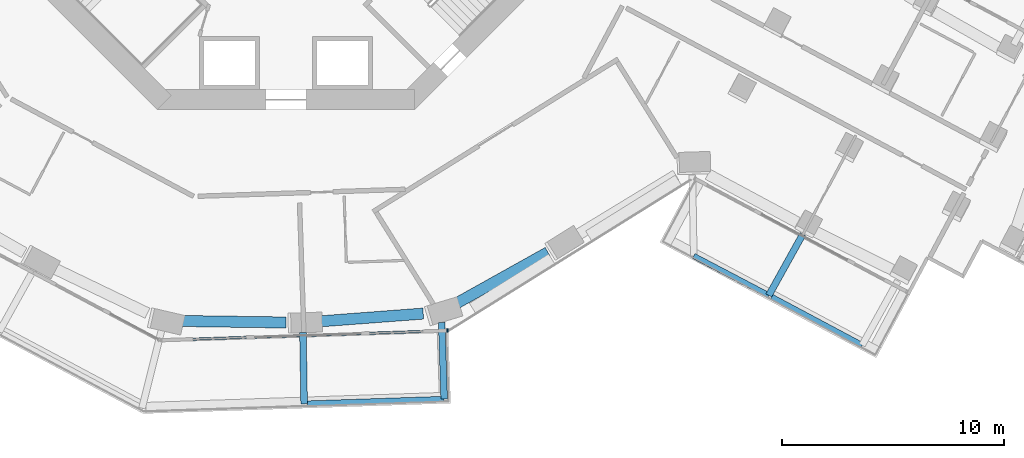
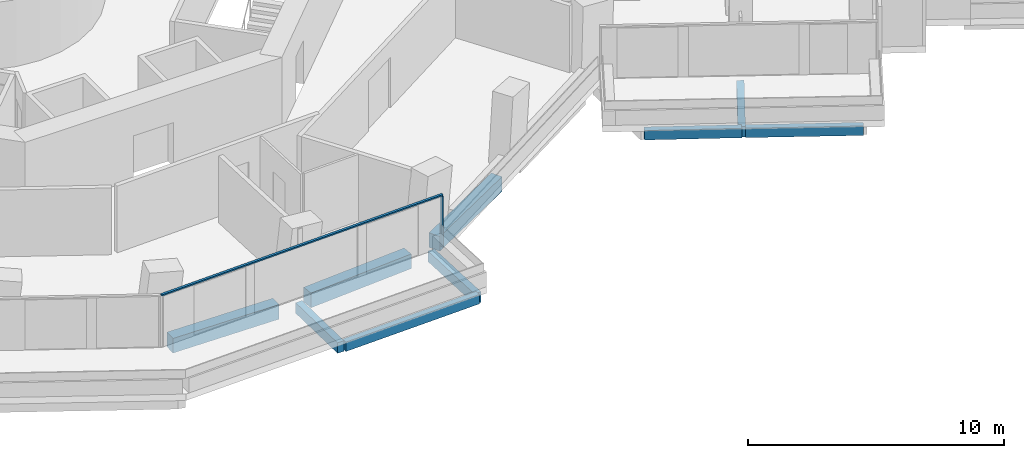
# One storey, part 5 of 27: 9 beams, 2 members, 1 element without a shape of its own.
"""IFC4 building model written with IfcOpenShell, lengths in metres."""

from ifc_helpers import new_model, si_unit, direction, frame, origin, origin_2d, place, context, subcontext, project, spatial, rectangle, extrude, material, layer, layer_set, material_profile, profile_set, type_object, element, aggregate, save


model = new_model("IFC4")

# Units and contexts
model_context = context("Model", 3, precision=1e-05, world=origin(), true_north=direction((0.0, 1.0)))
body_context = subcontext(model_context, "Body", "Model", "MODEL_VIEW")
ifc_project = project(units=[si_unit("LENGTHUNIT", "METRE"), si_unit("AREAUNIT", "SQUARE_METRE"), si_unit("VOLUMEUNIT", "CUBIC_METRE"), si_unit("PLANEANGLEUNIT", "RADIAN"), si_unit("MASSUNIT", "GRAM", prefix="KILO")], contexts=[model_context])

# Site, building, storey
site_placement = place(None, origin())
site = spatial("IfcSite", under=ifc_project, at=site_placement, CompositionType="ELEMENT")
building_placement = place(site_placement, origin())
building = spatial("IfcBuilding", under=site, at=building_placement, Name="Verdalira Terraces Hotel", CompositionType="ELEMENT")
storey_placement = place(building_placement, frame((0.0, 0.0, 42.5)))
storey = spatial("IfcBuildingStorey", under=building, at=storey_placement, Name="L08", CompositionType="ELEMENT", Elevation=42.5)

# Beams
ifc_material_1 = material(Name="Concrete C40", Category="concrete")
ifc_material_profile_1 = material_profile(ifc_material_1, rectangle(XDim=0.300049, YDim=0.5, at=origin_2d()), Name="RC 300X500")
ifc_profile_set_1 = profile_set([ifc_material_profile_1], Name="Concrete C40")
beam_type_1 = type_object("IfcBeamType", Name="Balcony cantilever beam RC 300X500 C40", PredefinedType="BEAM", material=ifc_profile_set_1)
beam_1_placement = place(storey_placement, frame((0.763428, -24.045898, -0.560059), z_axis=(0.01678, -0.999859206, 0.0), x_axis=(0.999859206, 0.01678, 0.0)))
element("IfcBeam", 1, at=beam_1_placement, inside=storey, type_object=beam_type_1, Name="Balcony cantilever beam R25-1", PredefinedType="BEAM", context=body_context, shape_type="SweptSolid", body=[
    extrude(rectangle(XDim=0.300049, YDim=0.5, at=origin_2d()), origin(), (0.0, 0.0, 1.0), 3.200928),
])
beam_2_placement = place(storey_placement, frame((7.01001, -23.57959, -0.560059), z_axis=(0.033542903, -0.999437278, 0.0), x_axis=(0.999437278, 0.033542903, 0.0)))
element("IfcBeam", 2, at=beam_2_placement, inside=storey, type_object=beam_type_1, Name="Balcony cantilever beam R25-2", PredefinedType="BEAM", context=body_context, shape_type="SweptSolid", body=[
    extrude(rectangle(XDim=0.300049, YDim=0.5, at=origin_2d()), origin(), (0.0, 0.0, 1.0), 3.457275),
])
beam_3_placement = place(storey_placement, frame((23.2771, -19.608887, -0.560059), z_axis=(-0.485380206, -0.874303183, 0.0), x_axis=(0.874303183, -0.485380206, 0.0)))
element("IfcBeam", 3, at=beam_3_placement, inside=storey, type_object=beam_type_1, Name="Balcony cantilever beam R28-2", PredefinedType="BEAM", context=body_context, shape_type="SweptSolid", body=[
    extrude(rectangle(XDim=0.300049, YDim=0.5, at=origin_2d()), origin(), (0.0, 0.0, 1.0), 3.15625),
])
ifc_material_2 = material(Name="Concrete C40", Category="concrete")
ifc_material_profile_2 = material_profile(ifc_material_2, rectangle(XDim=0.25, YDim=0.449951, at=origin_2d()), Name="RC 250X450")
ifc_profile_set_2 = profile_set([ifc_material_profile_2], Name="Concrete C40")
beam_type_2 = type_object("IfcBeamType", Name="Balcony edge beam RC 250X450 C40", PredefinedType="BEAM", material=ifc_profile_set_2)
beam_4_placement = place(storey_placement, frame((0.967041, -27.241211, -0.534912), z_axis=(0.999439485, 0.033477083, 0.0), x_axis=(-0.033477083, 0.999439485, 0.0)))
element("IfcBeam", 4, at=beam_4_placement, inside=storey, type_object=beam_type_2, Name="Balcony edge beam R25-1", PredefinedType="BEAM", context=body_context, shape_type="SweptSolid", body=[
    extrude(rectangle(XDim=0.25, YDim=0.449951, at=origin_2d()), origin(), (0.0, 0.0, 1.0), 6.162354),
])
beam_5_placement = place(storey_placement, frame((18.364258, -20.593262, -0.534912), z_axis=(0.885376851, -0.464873995, 0.0), x_axis=(0.464873995, 0.885376851, 0.0)))
element("IfcBeam", 5, at=beam_5_placement, inside=storey, type_object=beam_type_2, Name="Balcony edge beam R28-1", PredefinedType="BEAM", context=body_context, shape_type="SweptSolid", body=[
    extrude(rectangle(XDim=0.25, YDim=0.449951, at=origin_2d()), origin(), (0.0, 0.0, 1.0), 3.818604),
])
beam_6_placement = place(storey_placement, frame((21.877441, -22.439209, -0.534912), z_axis=(0.882300185, -0.47068714, 0.0), x_axis=(0.47068714, 0.882300185, 0.0)))
element("IfcBeam", 6, at=beam_6_placement, inside=storey, type_object=beam_type_2, Name="Balcony edge beam R28-2", PredefinedType="BEAM", context=body_context, shape_type="SweptSolid", body=[
    extrude(rectangle(XDim=0.25, YDim=0.449951, at=origin_2d()), origin(), (0.0, 0.0, 1.0), 4.612305),
])

# Curtain wall, members
ifc_material_3 = material(Name="Clear glass", Category="glass")
ifc_layer = layer(ifc_material_3, 0.14990234375)
ifc_layer_set = layer_set([ifc_layer], Name="CW1 curtain wall")
curtain_wall_type = type_object("IfcCurtainWallType", Name="CW1 curtain wall", PredefinedType="NOTDEFINED", material=ifc_layer_set)
curtain_wall_placement = place(storey_placement, origin())
curtain_wall = element("IfcCurtainWall", 7, at=curtain_wall_placement, inside=storey, type_object=curtain_wall_type, Name="CW1 curtain wall L08 edge 26", PredefinedType="NOTDEFINED")
ifc_material_4 = material(Name="Terracotta frame", Category="masonry")
ifc_material_profile_3 = material_profile(ifc_material_4, rectangle(XDim=0.060059, YDim=0.149902, at=origin_2d()), Name="MU 60x150")
ifc_profile_set_3 = profile_set([ifc_material_profile_3], Name="Terracotta frame")
member_type_1 = type_object("IfcMemberType", Name="CW1 mullion 60x150", PredefinedType="MULLION", material=ifc_profile_set_3)
member_1_placement = place(storey_placement, frame((7.276611, -23.952881, 0.0), z_axis=(0.0, 0.0, 1.0), x_axis=(0.999438582, 0.03350405, 0.0)))
member_1 = element("IfcMember", 8, at=member_1_placement, type_object=member_type_1, Name="CW1 mullion", PredefinedType="MULLION", context=body_context, shape_type="SweptSolid", body=[
    extrude(rectangle(XDim=0.060059, YDim=0.149902, at=origin_2d()), origin(), (0.0, 0.0, 1.0), 2.425049),
])
ifc_material_5 = material(Name="Terracotta frame", Category="masonry")
ifc_material_profile_4 = material_profile(ifc_material_5, rectangle(XDim=0.110107, YDim=0.064941, at=origin_2d()), Name="TR 65x110")
ifc_profile_set_4 = profile_set([ifc_material_profile_4], Name="Terracotta frame")
member_type_2 = type_object("IfcMemberType", Name="CW1 transom 65x110", PredefinedType="USERDEFINED", material=ifc_profile_set_4)
member_2_placement = place(storey_placement, frame((-5.645996, -24.38623, 2.45752), z_axis=(0.99943828, 0.033513038, 0.0), x_axis=(-0.033513038, 0.99943828, 0.0)))
member_2 = element("IfcMember", 9, at=member_2_placement, type_object=member_type_2, Name="CW1 transom", ObjectType="TRANSOM", PredefinedType="USERDEFINED", context=body_context, shape_type="SweptSolid", body=[
    extrude(rectangle(XDim=0.110107, YDim=0.064941, at=origin_2d()), origin(), (0.0, 0.0, 1.0), 12.959961),
])
aggregate(curtain_wall, [member_1, member_2])

# Beams
ifc_material_6 = material(Name="Concrete C70", Category="concrete")
ifc_material_profile_5 = material_profile(ifc_material_6, rectangle(XDim=0.5, YDim=0.699951, at=origin_2d()), Name="RC 500X700")
ifc_profile_set_5 = profile_set([ifc_material_profile_5], Name="Concrete C70")
beam_type_3 = type_object("IfcBeamType", Name="Spandrel beam RC 500X700 C70", PredefinedType="SPANDREL", material=ifc_profile_set_5)
beam_7_placement = place(storey_placement, frame((-4.755615, -23.518066, -0.659912), z_axis=(0.999896082, -0.014416152, 0.0), x_axis=(0.014416152, 0.999896082, 0.0)))
element("IfcBeam", 10, at=beam_7_placement, inside=storey, type_object=beam_type_3, Name="Spandrel beam B21", PredefinedType="SPANDREL", context=body_context, shape_type="SweptSolid", body=[
    extrude(rectangle(XDim=0.5, YDim=0.699951, at=origin_2d()), origin(), (0.0, 0.0, 1.0), 4.758789),
])
beam_8_placement = place(storey_placement, frame((1.439453, -23.54248, -0.659912), z_axis=(0.997182917, 0.075008199, 0.0), x_axis=(-0.075008199, 0.997182917, 0.0)))
element("IfcBeam", 11, at=beam_8_placement, inside=storey, type_object=beam_type_3, Name="Spandrel beam B22", PredefinedType="SPANDREL", context=body_context, shape_type="SweptSolid", body=[
    extrude(rectangle(XDim=0.5, YDim=0.699951, at=origin_2d()), origin(), (0.0, 0.0, 1.0), 4.755371),
])
beam_9_placement = place(storey_placement, frame((7.640381, -22.745117, -0.659912), z_axis=(0.873156068, 0.487440747, 0.0), x_axis=(-0.487440747, 0.873156068, 0.0)))
element("IfcBeam", 12, at=beam_9_placement, inside=storey, type_object=beam_type_3, Name="Spandrel beam B23", PredefinedType="SPANDREL", context=body_context, shape_type="SweptSolid", body=[
    extrude(rectangle(XDim=0.5, YDim=0.699951, at=origin_2d()), origin(), (0.0, 0.0, 1.0), 4.759277),
])

save(model, "model.ifc")
